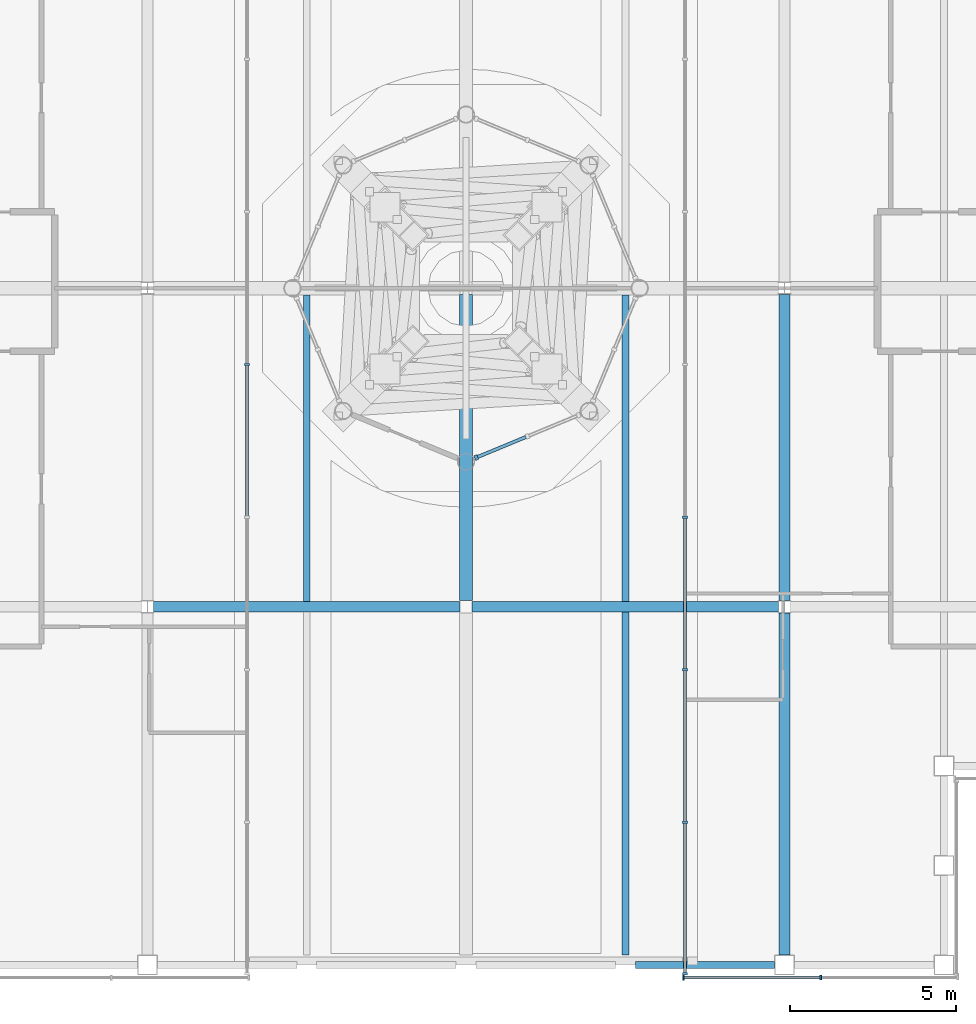
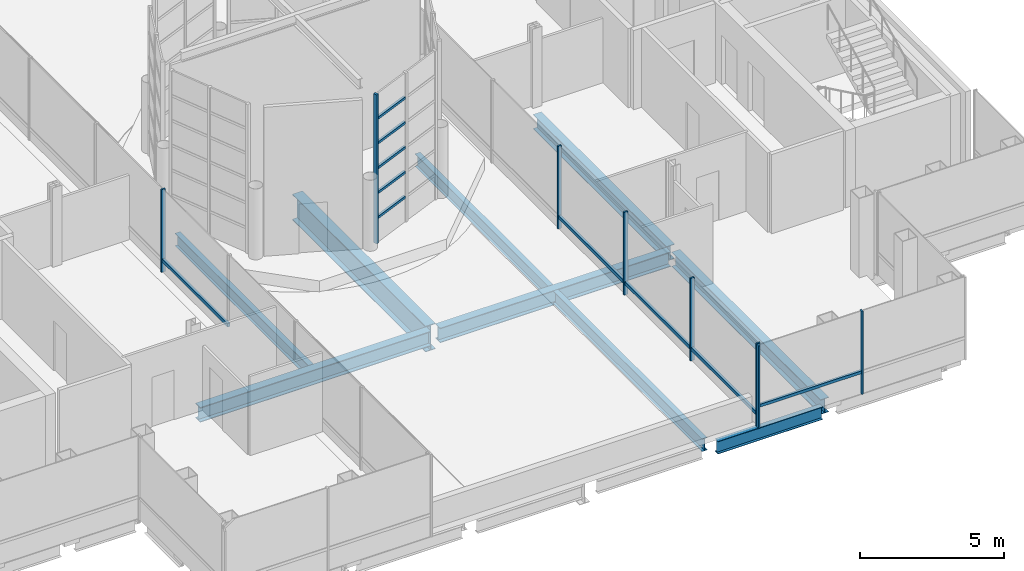
# One storey, part 6 of 32: 18 members, 9 beams, 4 elements without a shape of their own.
"""IFC4 building model written with IfcOpenShell, lengths in metres."""

from ifc_helpers import new_model, si_unit, direction, frame, origin, origin_2d, place, context, subcontext, project, spatial, rectangle, i_section, extrude, material, material_profile, profile_set, type_object, element, aggregate, save


model = new_model("IFC4")

# Units and contexts
model_context = context("Model", 3, precision=1e-05, world=origin(), true_north=direction((0.0, 1.0)))
body_context = subcontext(model_context, "Body", "Model", "MODEL_VIEW")
ifc_project = project(units=[si_unit("LENGTHUNIT", "METRE"), si_unit("AREAUNIT", "SQUARE_METRE"), si_unit("VOLUMEUNIT", "CUBIC_METRE"), si_unit("PLANEANGLEUNIT", "RADIAN"), si_unit("MASSUNIT", "GRAM", prefix="KILO")], contexts=[model_context])

# Site, building, storey
site_placement = place(None, origin())
site = spatial("IfcSite", under=ifc_project, at=site_placement, CompositionType="ELEMENT")
building_placement = place(site_placement, origin())
building = spatial("IfcBuilding", under=site, at=building_placement, Name="Cobrizo Arcos Hotel Tower", CompositionType="ELEMENT")
storey_placement = place(building_placement, frame((0.0, 0.0, 265.5)))
storey = spatial("IfcBuildingStorey", under=building, at=storey_placement, Name="L70", CompositionType="ELEMENT", Elevation=265.5)

# Curtain wall, members
ifc_material_1 = material(Name="Aluminium 6063-T6 anodised bronze", Category="aluminium")
curtain_wall_type_1 = type_object("IfcCurtainWallType", Name="CW-A guest facade", PredefinedType="NOTDEFINED", material=ifc_material_1)
curtain_wall_1_placement = place(storey_placement, origin())
curtain_wall_1 = element("IfcCurtainWall", 1, at=curtain_wall_1_placement, inside=storey, type_object=curtain_wall_type_1, Name="CW-A L70 S face", PredefinedType="NOTDEFINED")
ifc_material_profile_1 = material_profile(ifc_material_1, rectangle(XDim=0.14990234375, YDim=0.06005859375, at=origin_2d()), Name="CW-A mullion 150x60")
ifc_profile_set_1 = profile_set([ifc_material_profile_1], Name="Aluminium 6063-T6 anodised bronze")
member_type_1 = type_object("IfcMemberType", Name="CW-A mullion 150x60", PredefinedType="MULLION", material=ifc_profile_set_1)
member_1_placement = place(storey_placement, frame((6.553955078125, -20.77490234375, 0.0), z_axis=(0.0, 0.0, 1.0), x_axis=(0.0, -1.0, 0.0)))
member_1 = element("IfcMember", 2, at=member_1_placement, type_object=member_type_1, Name="CW-A mullion 1", PredefinedType="MULLION", context=body_context, shape_type="SweptSolid", body=[
    extrude(rectangle(XDim=0.14990234375, YDim=0.06005859375, at=origin_2d()), origin(), (0.0, 0.0, 1.0), 3.5),
])
member_2_placement = place(storey_placement, frame((10.68701171875, -20.77490234375, 0.0), z_axis=(0.0, 0.0, 1.0), x_axis=(0.0, -1.0, 0.0)))
member_2 = element("IfcMember", 3, at=member_2_placement, type_object=member_type_1, Name="CW-A mullion 2", PredefinedType="MULLION", context=body_context, shape_type="SweptSolid", body=[
    extrude(rectangle(XDim=0.14990234375, YDim=0.06005859375, at=origin_2d()), origin(), (0.0, 0.0, 1.0), 3.5),
])
ifc_material_profile_2 = material_profile(ifc_material_1, rectangle(XDim=0.10009765625, YDim=0.1201171875, at=origin_2d()), Name="CW-A transom 120x100")
ifc_profile_set_2 = profile_set([ifc_material_profile_2], Name="Aluminium 6063-T6 anodised bronze")
member_type_2 = type_object("IfcMemberType", Name="CW-A transom 120x100", PredefinedType="USERDEFINED", material=ifc_profile_set_2)
member_3_placement = place(storey_placement, frame((6.583984375, -20.77490234375, 0.929931640625), z_axis=(1.0, 0.0, 0.0), x_axis=(0.0, 1.0, 0.0)))
member_3 = element("IfcMember", 4, at=member_3_placement, type_object=member_type_2, Name="CW-A transom 2191", ObjectType="TRANSOM", PredefinedType="USERDEFINED", context=body_context, shape_type="SweptSolid", body=[
    extrude(rectangle(XDim=0.10009765625, YDim=0.1201171875, at=origin_2d()), origin(), (0.0, 0.0, 1.0), 4.072998046875),
])
aggregate(curtain_wall_1, [member_1, member_2, member_3])

curtain_wall_type_2 = type_object("IfcCurtainWallType", Name="CW-C arch infill and crown glazing", PredefinedType="NOTDEFINED", material=ifc_material_1)
curtain_wall_2_placement = place(storey_placement, origin())
curtain_wall_2 = element("IfcCurtainWall", 5, at=curtain_wall_2_placement, inside=storey, type_object=curtain_wall_type_2, Name="CW-C L70 W face", PredefinedType="NOTDEFINED")
ifc_material_profile_3 = material_profile(ifc_material_1, rectangle(XDim=0.14990234375, YDim=0.070068359375, at=origin_2d()), Name="CW-C mullion 150x70")
ifc_profile_set_3 = profile_set([ifc_material_profile_3], Name="Aluminium 6063-T6 anodised bronze")
member_type_3 = type_object("IfcMemberType", Name="CW-C mullion 150x70", PredefinedType="MULLION", material=ifc_profile_set_3)
member_4_placement = place(storey_placement, frame((6.59912109375, -6.89990234375, 0.0), z_axis=(0.0, 0.0, 1.0), x_axis=(-1.0, 0.0, 0.0)))
member_4 = element("IfcMember", 6, at=member_4_placement, type_object=member_type_3, Name="CW-C mullion 7", PredefinedType="MULLION", context=body_context, shape_type="SweptSolid", body=[
    extrude(rectangle(XDim=0.14990234375, YDim=0.070068359375, at=origin_2d()), origin(), (0.0, 0.0, 1.0), 3.5),
])
member_5_placement = place(storey_placement, frame((6.59912109375, -11.5, 0.0), z_axis=(0.0, 0.0, 1.0), x_axis=(-1.0, 0.0, 0.0)))
member_5 = element("IfcMember", 7, at=member_5_placement, type_object=member_type_3, Name="CW-C mullion 8", PredefinedType="MULLION", context=body_context, shape_type="SweptSolid", body=[
    extrude(rectangle(XDim=0.14990234375, YDim=0.070068359375, at=origin_2d()), origin(), (0.0, 0.0, 1.0), 3.5),
])
member_6_placement = place(storey_placement, frame((6.59912109375, -16.10009765625, 0.0), z_axis=(0.0, 0.0, 1.0), x_axis=(-1.0, 0.0, 0.0)))
member_6 = element("IfcMember", 8, at=member_6_placement, type_object=member_type_3, Name="CW-C mullion 9", PredefinedType="MULLION", context=body_context, shape_type="SweptSolid", body=[
    extrude(rectangle(XDim=0.14990234375, YDim=0.070068359375, at=origin_2d()), origin(), (0.0, 0.0, 1.0), 3.5),
])
member_7_placement = place(storey_placement, frame((6.59912109375, -20.6650390625, 0.0), z_axis=(0.0, 0.0, 1.0), x_axis=(-1.0, 0.0, 0.0)))
member_7 = element("IfcMember", 9, at=member_7_placement, type_object=member_type_3, Name="CW-C mullion 10", PredefinedType="MULLION", context=body_context, shape_type="SweptSolid", body=[
    extrude(rectangle(XDim=0.14990234375, YDim=0.070068359375, at=origin_2d()), origin(), (0.0, 0.0, 1.0), 3.5),
])

# Curtain wall, member
curtain_wall_3_placement = place(storey_placement, origin())
curtain_wall_3 = element("IfcCurtainWall", 10, at=curtain_wall_3_placement, inside=storey, type_object=curtain_wall_type_2, Name="CW-C L70 E face", PredefinedType="NOTDEFINED")
member_8_placement = place(storey_placement, frame((-6.59912109375, -2.300048828125, 0.0), z_axis=(0.0, 0.0, 1.0), x_axis=(1.0, 0.0, 0.0)))
member_8 = element("IfcMember", 11, at=member_8_placement, type_object=member_type_3, Name="CW-C mullion 5", PredefinedType="MULLION", context=body_context, shape_type="SweptSolid", body=[
    extrude(rectangle(XDim=0.14990234375, YDim=0.070068359375, at=origin_2d()), origin(), (0.0, 0.0, 1.0), 3.5),
])

# Member
ifc_material_profile_4 = material_profile(ifc_material_1, rectangle(XDim=0.10009765625, YDim=0.139892578125, at=origin_2d()), Name="CW-C transom 140x100")
ifc_profile_set_4 = profile_set([ifc_material_profile_4], Name="Aluminium 6063-T6 anodised bronze")
member_type_4 = type_object("IfcMemberType", Name="CW-C transom 140x100", PredefinedType="USERDEFINED", material=ifc_profile_set_4)
member_9_placement = place(storey_placement, frame((6.59912109375, -6.93505859375, 0.5), z_axis=(0.0, -1.0, 0.0), x_axis=(1.0, 0.0, 0.0)))
member_9 = element("IfcMember", 12, at=member_9_placement, type_object=member_type_4, Name="CW-C transom 2188", ObjectType="TRANSOM", PredefinedType="USERDEFINED", context=body_context, shape_type="SweptSolid", body=[
    extrude(rectangle(XDim=0.10009765625, YDim=0.139892578125, at=origin_2d()), origin(), (0.0, 0.0, 1.0), 4.530029296875),
])

member_10_placement = place(storey_placement, frame((6.59912109375, -11.534912109375, 0.5), z_axis=(0.0, -1.0, 0.0), x_axis=(1.0, 0.0, 0.0)))
member_10 = element("IfcMember", 13, at=member_10_placement, type_object=member_type_4, Name="CW-C transom 2189", ObjectType="TRANSOM", PredefinedType="USERDEFINED", context=body_context, shape_type="SweptSolid", body=[
    extrude(rectangle(XDim=0.10009765625, YDim=0.139892578125, at=origin_2d()), origin(), (0.0, 0.0, 1.0), 4.530029296875),
])

member_11_placement = place(storey_placement, frame((6.59912109375, -16.135009765625, 0.5), z_axis=(0.0, -1.0, 0.0), x_axis=(1.0, 0.0, 0.0)))
member_11 = element("IfcMember", 14, at=member_11_placement, type_object=member_type_4, Name="CW-C transom 2190", ObjectType="TRANSOM", PredefinedType="USERDEFINED", context=body_context, shape_type="SweptSolid", body=[
    extrude(rectangle(XDim=0.10009765625, YDim=0.139892578125, at=origin_2d()), origin(), (0.0, 0.0, 1.0), 4.494873046875),
])

aggregate(curtain_wall_2, [member_4, member_5, member_6, member_7, member_9, member_10, member_11])

member_12_placement = place(storey_placement, frame((-6.59912109375, -6.864990234375, 0.5), z_axis=(0.0, 1.0, 0.0), x_axis=(-1.0, 0.0, 0.0)))
member_12 = element("IfcMember", 15, at=member_12_placement, type_object=member_type_4, Name="CW-C transom 2204", ObjectType="TRANSOM", PredefinedType="USERDEFINED", context=body_context, shape_type="SweptSolid", body=[
    extrude(rectangle(XDim=0.10009765625, YDim=0.139892578125, at=origin_2d()), origin(), (0.0, 0.0, 1.0), 4.530029296875),
])

aggregate(curtain_wall_3, [member_8, member_12])

# Curtain wall, members
curtain_wall_type_3 = type_object("IfcCurtainWallType", Name="CW-D plant louvre wall", PredefinedType="NOTDEFINED", material=ifc_material_1)
curtain_wall_4_placement = place(storey_placement, origin())
curtain_wall_4 = element("IfcCurtainWall", 16, at=curtain_wall_4_placement, inside=storey, type_object=curtain_wall_type_3, Name="CW-D drum louvre wall 7", PredefinedType="NOTDEFINED")
ifc_material_profile_5 = material_profile(ifc_material_1, rectangle(XDim=0.14990234375, YDim=0.10009765625, at=origin_2d()), Name="CW-D mullion 150x100")
ifc_profile_set_5 = profile_set([ifc_material_profile_5], Name="Aluminium 6063-T6 anodised bronze")
member_type_5 = type_object("IfcMemberType", Name="CW-D mullion 150x100", PredefinedType="MULLION", material=ifc_profile_set_5)
member_13_placement = place(storey_placement, frame((0.30859375, -5.104736328125, 0.5), z_axis=(0.0, 0.0, 1.0), x_axis=(0.382683432365, -0.923879532511, 0.0)))
member_13 = element("IfcMember", 17, at=member_13_placement, type_object=member_type_5, Name="CW-D mullion 1", PredefinedType="MULLION", context=body_context, shape_type="SweptSolid", body=[
    extrude(rectangle(XDim=0.14990234375, YDim=0.10009765625, at=origin_2d()), origin(), (0.0, 0.0, 1.0), 6.300048828125),
])
ifc_material_profile_6 = material_profile(ifc_material_1, rectangle(XDim=0.10009765625, YDim=0.10009765625, at=origin_2d()), Name="CW-D transom 100x100")
ifc_profile_set_6 = profile_set([ifc_material_profile_6], Name="Aluminium 6063-T6 anodised bronze")
member_type_6 = type_object("IfcMemberType", Name="CW-D transom 100x100", PredefinedType="USERDEFINED", material=ifc_profile_set_6)
member_14_placement = place(storey_placement, frame((0.354736328125, -5.085693359375, 1.550048828125), z_axis=(0.923844168663, 0.382768797092, 0.0), x_axis=(-0.382768797092, 0.923844168663, 0.0)))
member_14 = element("IfcMember", 18, at=member_14_placement, type_object=member_type_6, Name="CW-D transom 1-1", ObjectType="TRANSOM", PredefinedType="USERDEFINED", context=body_context, shape_type="SweptSolid", body=[
    extrude(rectangle(XDim=0.10009765625, YDim=0.10009765625, at=origin_2d()), origin(), (0.0, 0.0, 1.0), 1.568359375),
])
member_15_placement = place(storey_placement, frame((0.354736328125, -5.085693359375, 2.60009765625), z_axis=(0.923844168663, 0.382768797092, 0.0), x_axis=(-0.382768797092, 0.923844168663, 0.0)))
member_15 = element("IfcMember", 19, at=member_15_placement, type_object=member_type_6, Name="CW-D transom 1-2", ObjectType="TRANSOM", PredefinedType="USERDEFINED", context=body_context, shape_type="SweptSolid", body=[
    extrude(rectangle(XDim=0.10009765625, YDim=0.10009765625, at=origin_2d()), origin(), (0.0, 0.0, 1.0), 1.568359375),
])
member_16_placement = place(storey_placement, frame((0.354736328125, -5.085693359375, 3.64990234375), z_axis=(0.923844168663, 0.382768797092, 0.0), x_axis=(-0.382768797092, 0.923844168663, 0.0)))
member_16 = element("IfcMember", 20, at=member_16_placement, type_object=member_type_6, Name="CW-D transom 1-3", ObjectType="TRANSOM", PredefinedType="USERDEFINED", context=body_context, shape_type="SweptSolid", body=[
    extrude(rectangle(XDim=0.10009765625, YDim=0.10009765625, at=origin_2d()), origin(), (0.0, 0.0, 1.0), 1.568359375),
])
member_17_placement = place(storey_placement, frame((0.354736328125, -5.085693359375, 4.699951171875), z_axis=(0.923844168663, 0.382768797092, 0.0), x_axis=(-0.382768797092, 0.923844168663, 0.0)))
member_17 = element("IfcMember", 21, at=member_17_placement, type_object=member_type_6, Name="CW-D transom 1-4", ObjectType="TRANSOM", PredefinedType="USERDEFINED", context=body_context, shape_type="SweptSolid", body=[
    extrude(rectangle(XDim=0.10009765625, YDim=0.10009765625, at=origin_2d()), origin(), (0.0, 0.0, 1.0), 1.568359375),
])
member_18_placement = place(storey_placement, frame((0.354736328125, -5.085693359375, 5.75), z_axis=(0.923844168663, 0.382768797092, 0.0), x_axis=(-0.382768797092, 0.923844168663, 0.0)))
member_18 = element("IfcMember", 22, at=member_18_placement, type_object=member_type_6, Name="CW-D transom 1-5", ObjectType="TRANSOM", PredefinedType="USERDEFINED", context=body_context, shape_type="SweptSolid", body=[
    extrude(rectangle(XDim=0.10009765625, YDim=0.10009765625, at=origin_2d()), origin(), (0.0, 0.0, 1.0), 1.568359375),
])
aggregate(curtain_wall_4, [member_13, member_14, member_15, member_16, member_17, member_18])

# Beams
ifc_material_2 = material(Name="Steel ASTM A992 Grade 50", Category="steel")
ifc_material_profile_7 = material_profile(ifc_material_2, i_section(OverallWidth=0.209228515625, OverallDepth=0.533447265625, WebThickness=0.01025390625, FlangeThickness=0.015625, at=origin_2d()), Name="W21X62")
ifc_profile_set_7 = profile_set([ifc_material_profile_7], Name="Steel ASTM A992 Grade 50")
beam_type_1 = type_object("IfcBeamType", Name="W21X62 joist", PredefinedType="JOIST", material=ifc_profile_set_7)
beam_1_placement = place(storey_placement, frame((-4.800048828125, -9.43603515625, -0.5166015625), z_axis=(0.0, 1.0, 0.0), x_axis=(-1.0, 0.0, 0.0)))
element("IfcBeam", 23, at=beam_1_placement, inside=storey, type_object=beam_type_1, Name="Floor joist J1, L70, no. 008", PredefinedType="JOIST", context=body_context, shape_type="SweptSolid", body=[
    extrude(i_section(OverallWidth=0.209228515625, OverallDepth=0.533447265625, WebThickness=0.01025390625, FlangeThickness=0.015625, at=origin_2d()), origin(), (0.0, 0.0, 1.0), 9.2353515625),
])
beam_2_placement = place(storey_placement, frame((4.800048828125, -20.10009765625, -0.5166015625), z_axis=(0.0, 1.0, 0.0), x_axis=(-1.0, 0.0, 0.0)))
element("IfcBeam", 24, at=beam_2_placement, inside=storey, type_object=beam_type_1, Name="Floor joist J1, L70, no. 011", PredefinedType="JOIST", context=body_context, shape_type="SweptSolid", body=[
    extrude(i_section(OverallWidth=0.209228515625, OverallDepth=0.533447265625, WebThickness=0.01025390625, FlangeThickness=0.015625, at=origin_2d()), origin(), (0.0, 0.0, 1.0), 10.336181640625),
])
beam_3_placement = place(storey_placement, frame((4.800048828125, -9.43603515625, -0.5166015625), z_axis=(0.0, 1.0, 0.0), x_axis=(-1.0, 0.0, 0.0)))
element("IfcBeam", 25, at=beam_3_placement, inside=storey, type_object=beam_type_1, Name="Floor joist J1, L70, no. 012", PredefinedType="JOIST", context=body_context, shape_type="SweptSolid", body=[
    extrude(i_section(OverallWidth=0.209228515625, OverallDepth=0.533447265625, WebThickness=0.01025390625, FlangeThickness=0.015625, at=origin_2d()), origin(), (0.0, 0.0, 1.0), 9.2353515625),
])
ifc_material_profile_8 = material_profile(ifc_material_2, i_section(OverallWidth=0.209228515625, OverallDepth=0.533447265625, WebThickness=0.01025390625, FlangeThickness=0.015625, at=origin_2d()), Name="W21X62")
ifc_profile_set_8 = profile_set([ifc_material_profile_8], Name="Steel ASTM A992 Grade 50")
beam_type_2 = type_object("IfcBeamType", Name="W21X62 spandrel", PredefinedType="SPANDREL", material=ifc_profile_set_8)
beam_4_placement = place(storey_placement, frame((9.300048828125, -20.39990234375, -0.5166015625), z_axis=(-1.0, 0.0, 0.0), x_axis=(0.0, -1.0, 0.0)))
element("IfcBeam", 26, at=beam_4_placement, inside=storey, type_object=beam_type_2, Name="Spandrel beam W21X62, L70, no. 026", PredefinedType="SPANDREL", context=body_context, shape_type="SweptSolid", body=[
    extrude(i_section(OverallWidth=0.209228515625, OverallDepth=0.533447265625, WebThickness=0.01025390625, FlangeThickness=0.015625, at=origin_2d()), origin(), (0.0, 0.0, 1.0), 4.199951171875),
])
ifc_material_profile_9 = material_profile(ifc_material_2, i_section(OverallWidth=0.32763671875, OverallDepth=0.622314453125, WebThickness=0.015380859375, FlangeThickness=0.0244140625, at=origin_2d()), Name="W24X131")
ifc_profile_set_9 = profile_set([ifc_material_profile_9], Name="Steel ASTM A992 Grade 50")
beam_type_3 = type_object("IfcBeamType", Name="W24X131 girder", PredefinedType="BEAM", material=ifc_profile_set_9)
for number, where, z_axis, x_axis, name in (
    (27, (-9.415771484375, -9.60009765625, -0.56103515625), (1.0, 0.0, 0.0), (0.0, 1.0, 0.0), "Floor girder G1, L70, no. 002"),
    (28, (0.18408203125, -9.60009765625, -0.56103515625), (1.0, 0.0, 0.0), (0.0, 1.0, 0.0), "Floor girder G1, L70, no. 003"),
):
    element("IfcBeam", number, at=place(storey_placement, frame(where, z_axis=z_axis, x_axis=x_axis)), inside=storey, type_object=beam_type_3, Name=name, PredefinedType="BEAM", context=body_context, shape_type="SweptSolid", body=[
        extrude(i_section(OverallWidth=0.32763671875, OverallDepth=0.622314453125, WebThickness=0.015380859375, FlangeThickness=0.0244140625, at=origin_2d()), origin(), (0.0, 0.0, 1.0), 9.231689453125),
    ])
beam_5_placement = place(storey_placement, frame((9.60009765625, -20.10009765625, -0.56103515625), z_axis=(0.0, 1.0, 0.0), x_axis=(-1.0, 0.0, 0.0)))
element("IfcBeam", 29, at=beam_5_placement, inside=storey, type_object=beam_type_3, Name="Floor girder G1, L70, no. 013", PredefinedType="BEAM", context=body_context, shape_type="SweptSolid", body=[
    extrude(i_section(OverallWidth=0.32763671875, OverallDepth=0.622314453125, WebThickness=0.015380859375, FlangeThickness=0.0244140625, at=origin_2d()), origin(), (0.0, 0.0, 1.0), 10.31591796875),
])
beam_6_placement = place(storey_placement, frame((9.60009765625, -9.415771484375, -0.56103515625), z_axis=(0.0, 1.0, 0.0), x_axis=(-1.0, 0.0, 0.0)))
element("IfcBeam", 30, at=beam_6_placement, inside=storey, type_object=beam_type_3, Name="Floor girder G1, L70, no. 014", PredefinedType="BEAM", context=body_context, shape_type="SweptSolid", body=[
    extrude(i_section(OverallWidth=0.32763671875, OverallDepth=0.622314453125, WebThickness=0.015380859375, FlangeThickness=0.0244140625, at=origin_2d()), origin(), (0.0, 0.0, 1.0), 9.231689453125),
])
ifc_material_profile_10 = material_profile(ifc_material_2, i_section(OverallWidth=0.4013671875, OverallDepth=1.089599609375, WebThickness=0.01806640625, FlangeThickness=0.031005859375, at=origin_2d()), Name="W44X230")
ifc_profile_set_10 = profile_set([ifc_material_profile_10], Name="Steel ASTM A992 Grade 50")
beam_type_4 = type_object("IfcBeamType", Name="W44X230 crown transfer girder", PredefinedType="BEAM", material=ifc_profile_set_10)
beam_7_placement = place(storey_placement, frame((0.0, -9.415771484375, -0.794921875), z_axis=(0.0, 1.0, 0.0), x_axis=(-1.0, 0.0, 0.0)))
element("IfcBeam", 31, at=beam_7_placement, inside=storey, type_object=beam_type_4, Name="Crown transfer girder CG1, L70, no. 006", PredefinedType="BEAM", context=body_context, shape_type="SweptSolid", body=[
    extrude(i_section(OverallWidth=0.4013671875, OverallDepth=1.089599609375, WebThickness=0.01806640625, FlangeThickness=0.031005859375, at=origin_2d()), origin(), (0.0, 0.0, 1.0), 9.231689453125),
])

save(model, "model.ifc")
